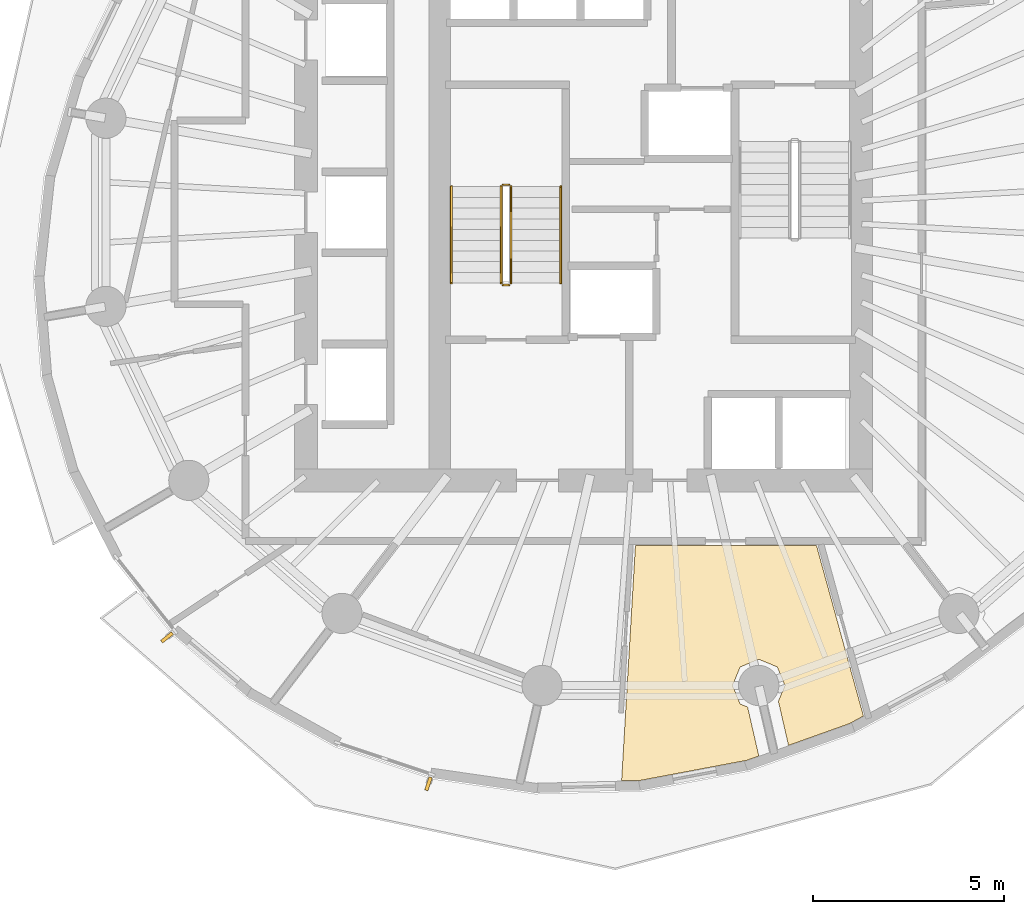
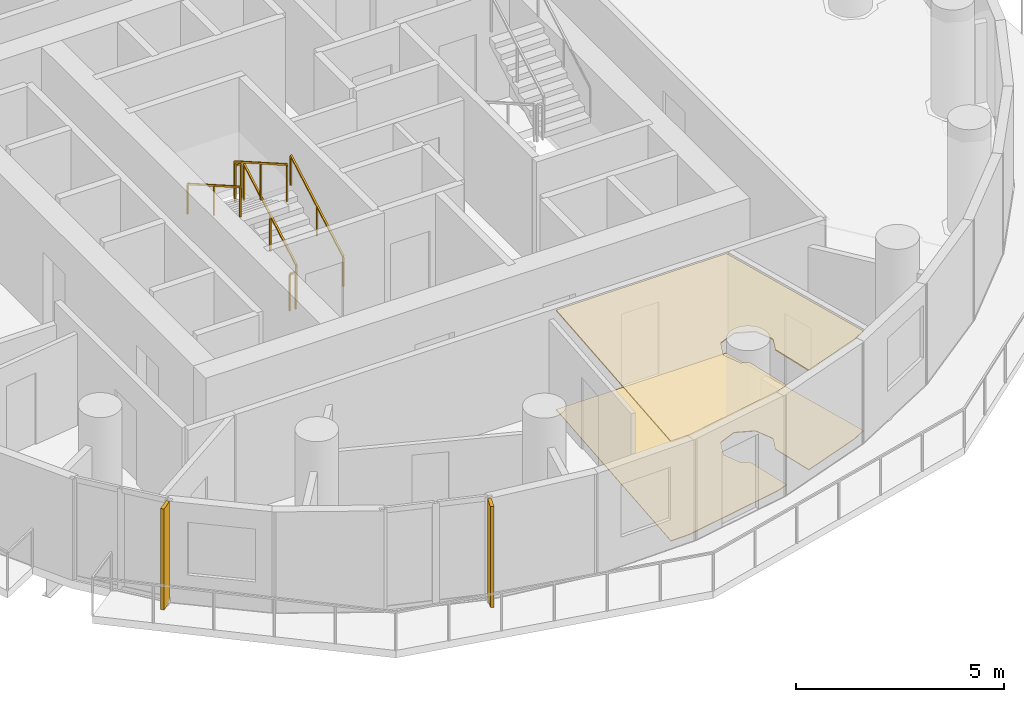
# One storey, part 8 of 12: 6 railings, 2 coverings, 2 shading devices.
"""IFC4 building model written with IfcOpenShell, lengths in metres."""

import ifcopenshell
import ifcopenshell.guid

model = None  # the IFC model being written
_history = None  # IfcOwnerHistory: only IFC2X3 demands one
_inside = {}  # id of a spatial element -> (the spatial element, [elements in it])
_under = {}  # id of a project, library or spatial element -> (it, [spatial elements below it])
_declared = {}  # id of a project -> (the project, [libraries it declares])
_typed = {}  # id of a type object -> (the type object, [elements of that type])
_made_of = {}  # id of a material, layer set ... -> (it, [elements and type objects made of it])


def new_model(schema):
    """Start an empty IFC model of exactly this schema.

    Asked for "IFC4X3", IfcOpenShell would pick the latest addendum, in which some entities
    have other attributes; the version numbers below select the first issue.
    IFC2X3 requires an IfcOwnerHistory on every rooted entity: one is made here for all.
    """
    global model, _history
    if schema == "IFC4X3":
        model = ifcopenshell.file(schema_version=(4, 3, 0, 0))
    else:
        model = ifcopenshell.file(schema=schema)
    _inside.clear()
    _under.clear()
    _declared.clear()
    _typed.clear()
    _made_of.clear()
    _history = None
    if model.schema == "IFC2X3":
        org = make("IfcOrganization", Name="unknown")
        user = make(
            "IfcPersonAndOrganization",
            ThePerson=make("IfcPerson", FamilyName="unknown"),
            TheOrganization=org,
        )
        app = make(
            "IfcApplication",
            ApplicationDeveloper=org,
            Version="unknown",
            ApplicationFullName="unknown",
            ApplicationIdentifier="unknown",
        )
        _history = make(
            "IfcOwnerHistory",
            OwningUser=user,
            OwningApplication=app,
            ChangeAction="ADDED",
            CreationDate=0,
        )
    return model


def make(cls, **values):
    """One entity of the class cls with the attributes given. An attribute that is None is left unset."""
    return model.create_entity(
        cls, **{name: value for name, value in values.items() if value is not None}
    )


def rooted(cls, **values):
    """An entity with a GlobalId (a new one), such as an element, a storey or a relation."""
    return make(cls, GlobalId=ifcopenshell.guid.new(), OwnerHistory=_history, **values)


def si_unit(unit_type, name, prefix=None):
    """IfcSIUnit, for example si_unit("LENGTHUNIT", "METRE", prefix="MILLI")."""
    return make("IfcSIUnit", UnitType=unit_type, Prefix=prefix, Name=name)


def assignment(units):
    """IfcUnitAssignment: the units of a project."""
    return None if units is None else make("IfcUnitAssignment", Units=units)


def point(xyz):
    """IfcCartesianPoint."""
    return None if xyz is None else make("IfcCartesianPoint", Coordinates=xyz)


def direction(xyz):
    """IfcDirection."""
    return None if xyz is None else make("IfcDirection", DirectionRatios=xyz)


def frame(location, z_axis=None, x_axis=None):
    """IfcAxis2Placement3D, a coordinate frame: its origin and axes. An axis left out is left unset."""
    return make(
        "IfcAxis2Placement3D",
        Location=point(location),
        Axis=direction(z_axis),
        RefDirection=direction(x_axis),
    )


def frame_2d(location, x_axis=None):
    """IfcAxis2Placement2D, a coordinate frame in the plane: its origin and x axis."""
    return make(
        "IfcAxis2Placement2D", Location=point(location), RefDirection=direction(x_axis)
    )


def origin():
    """The frame at (0, 0, 0) with its axes left unset."""
    return frame((0.0, 0.0, 0.0))


def origin_2d():
    """The frame at (0, 0) in the plane with its x axis left unset."""
    return frame_2d((0.0, 0.0))


def place(relative_to, where):
    """IfcLocalPlacement: puts the frame where relative to a parent placement (None: the world)."""
    return make(
        "IfcLocalPlacement", PlacementRelTo=relative_to, RelativePlacement=where
    )


def context(
    kind, dimensions, precision=None, world=None, true_north=None, identifier=None
):
    """IfcGeometricRepresentationContext, for example the 3D "Model" context."""
    return make(
        "IfcGeometricRepresentationContext",
        ContextIdentifier=identifier,
        ContextType=kind,
        CoordinateSpaceDimension=dimensions,
        Precision=precision,
        WorldCoordinateSystem=world,
        TrueNorth=true_north,
    )


def subcontext(parent, identifier, kind, view, scale=None):
    """IfcGeometricRepresentationSubContext, for example "Body" below "Model"."""
    return make(
        "IfcGeometricRepresentationSubContext",
        ContextIdentifier=identifier,
        ContextType=kind,
        ParentContext=parent,
        TargetScale=scale,
        TargetView=view,
    )


def project(units=None, contexts=None):
    """IfcProject with its units and contexts."""
    return rooted(
        "IfcProject",
        Name="project",
        RepresentationContexts=contexts,
        UnitsInContext=assignment(units),
    )


def spatial(cls, under=None, at=None, **own):
    """A site, building, storey or space (cls), placed at a placement, below another one or the project."""
    s = rooted(cls, ObjectPlacement=at, **own)
    if under is not None:
        _under.setdefault(under.id(), (under, []))[1].append(s)
    return s


def polyline(points):
    """IfcPolyline through the points."""
    return make("IfcPolyline", Points=[point(p) for p in points])


def profile(cls, at=None, kind="AREA", **sizes):
    """A parametric profile (cls). Its sizes go by their IFC names, for example OverallWidth=200.0."""
    return make(cls, ProfileType=kind, Position=at, **sizes)


def rectangle(**sizes):
    """IfcRectangleProfileDef."""
    return profile("IfcRectangleProfileDef", **sizes)


def outline(outer, holes=None, kind="AREA"):
    """IfcArbitraryClosedProfileDef: a profile drawn as a closed curve; with holes, ...WithVoids."""
    if holes is None:
        return make("IfcArbitraryClosedProfileDef", ProfileType=kind, OuterCurve=outer)
    return make(
        "IfcArbitraryProfileDefWithVoids",
        ProfileType=kind,
        OuterCurve=outer,
        InnerCurves=holes,
    )


def extrude(swept, where, along, depth):
    """IfcExtrudedAreaSolid: the profile swept, set in the frame where, extruded along a direction by depth."""
    return make(
        "IfcExtrudedAreaSolid",
        SweptArea=swept,
        Position=where,
        ExtrudedDirection=direction(along),
        Depth=depth,
    )


def shape(context_of_items, identifier, shape_type, items):
    """IfcShapeRepresentation: the items that make up one representation, for example the "Body"."""
    return make(
        "IfcShapeRepresentation",
        ContextOfItems=context_of_items,
        RepresentationIdentifier=identifier,
        RepresentationType=shape_type,
        Items=items,
    )


def material(Name=None, Category=None):
    """IfcMaterial."""
    return make("IfcMaterial", Name=Name, Category=Category)


def layer(
    of_material, thickness, ventilated=None, Name=None, Category=None, Priority=None
):
    """IfcMaterialLayer: one layer of a wall or slab, of a material (None: an air gap)."""
    return make(
        "IfcMaterialLayer",
        Material=of_material,
        LayerThickness=thickness,
        IsVentilated=ventilated,
        Name=Name,
        Category=Category,
        Priority=Priority,
    )


def layer_set(layers, Name=None):
    """IfcMaterialLayerSet."""
    return make("IfcMaterialLayerSet", MaterialLayers=layers, LayerSetName=Name)


def made_of(thing, what):
    """Note that an element or type object is made of a material, layer set ...; save() writes the relation."""
    if what is not None:
        _made_of.setdefault(what.id(), (what, []))[1].append(thing)
    return thing


def type_object(cls, material=None, **own):
    """A type object (cls), such as IfcWallType, which elements share."""
    return made_of(rooted(cls, **own), material)


def element(
    cls,
    number,
    at=None,
    inside=None,
    cuts=None,
    type_object=None,
    material=None,
    context=None,
    identifier="Body",
    shape_type=None,
    held_by="IfcProductDefinitionShape",
    body=None,
    shapes=None,
    **own,
):
    """One element of the class cls, such as IfcWall. Its Tag is "e" and its number.

    at: its placement. inside: the storey or other place that contains it. cuts: it is an
    opening in that element (IfcRelVoidsElement). A single representation is given by context,
    identifier, shape_type and body (its items); several are given by shapes. held_by: the class
    of the entity that holds the representations. save() writes the other relations.
    """
    e = rooted(cls, Tag="e%d" % number, ObjectPlacement=at, **own)
    if body is not None:
        shapes = [shape(context, identifier, shape_type, body)]
    if shapes is not None:
        e.Representation = make(held_by, Representations=shapes)
    if inside is not None:
        _inside.setdefault(inside.id(), (inside, []))[1].append(e)
    if cuts is not None:
        rooted(
            "IfcRelVoidsElement", RelatingBuildingElement=cuts, RelatedOpeningElement=e
        )
    if type_object is not None:
        _typed.setdefault(type_object.id(), (type_object, []))[1].append(e)
    return made_of(e, material)


def aggregate(whole, parts):
    """IfcRelAggregates: a whole, such as a stair, and the parts it consists of."""
    return rooted("IfcRelAggregates", RelatingObject=whole, RelatedObjects=parts)


def save(model, path):
    """Write the relations noted so far, then the file.

    IfcRelAggregates (storeys below a building ...), IfcRelContainedInSpatialStructure (elements
    in a storey), IfcRelDefinesByType, IfcRelAssociatesMaterial and IfcRelDeclares: one each for
    every whole, place, type object, material and project.
    """
    for whole, parts in _under.values():
        aggregate(whole, parts)
    for where, things in _inside.values():
        rooted(
            "IfcRelContainedInSpatialStructure",
            RelatedElements=things,
            RelatingStructure=where,
        )
    for kind, things in _typed.values():
        rooted("IfcRelDefinesByType", RelatedObjects=things, RelatingType=kind)
    for what, things in _made_of.values():
        rooted("IfcRelAssociatesMaterial", RelatedObjects=things, RelatingMaterial=what)
    for by, libraries in _declared.values():
        rooted("IfcRelDeclares", RelatingContext=by, RelatedDefinitions=libraries)
    model.write(path)


model = new_model("IFC4")

# Units and contexts
model_context = context("Model", 3, precision=1e-05, world=origin(), true_north=direction((0.0, 1.0)))
body_context = subcontext(model_context, "Body", "Model", "MODEL_VIEW")
ifc_project = project(units=[si_unit("LENGTHUNIT", "METRE"), si_unit("AREAUNIT", "SQUARE_METRE"), si_unit("VOLUMEUNIT", "CUBIC_METRE"), si_unit("PLANEANGLEUNIT", "RADIAN"), si_unit("MASSUNIT", "GRAM", prefix="KILO")], contexts=[model_context])

# Site, building, storey
site_placement = place(None, origin())
site = spatial("IfcSite", under=ifc_project, at=site_placement, CompositionType="ELEMENT")
building_placement = place(site_placement, origin())
building = spatial("IfcBuilding", under=site, at=building_placement, Name="Veldorim Arch Residences", CompositionType="ELEMENT")
storey_placement = place(building_placement, frame((0.0, 0.0, 139.360107421875)))
storey = spatial("IfcBuildingStorey", under=building, at=storey_placement, Name="L41", CompositionType="ELEMENT", Elevation=139.360107421875)

# Railings
ifc_material_1 = material(Name="Steel S355", Category="steel")
railing_type_1 = type_object("IfcRailingType", Name="Galvanised Steel Stair Safety Guardrail 1100", PredefinedType="GUARDRAIL", material=ifc_material_1)
railing_1_placement = place(storey_placement, frame((28.360107421875, 22.14990234375, 0.159912109375)))
element("IfcRailing", 1, at=railing_1_placement, inside=storey, type_object=railing_type_1, Name="L41 ST-1 stair guard 1", PredefinedType="GUARDRAIL", context=body_context, shape_type="SweptSolid", body=[
    extrude(rectangle(XDim=0.048095703125, YDim=0.048095703125, at=origin_2d()), frame((0.0, 0.0, 1.076171875), z_axis=(0.0, 0.868253494771, 0.496120820787), x_axis=(-1.0, 0.0, 0.0)), (0.0, 0.0, 1.0), 2.90234375),
    extrude(rectangle(XDim=0.0419921875, YDim=0.0419921875, at=origin_2d()), origin(), (0.0, 0.0, 1.0), 1.052001953125),
    extrude(rectangle(XDim=0.0419921875, YDim=0.0419921875, at=origin_2d()), frame((0.0, 1.260009765625, 0.719970703125)), (0.0, 0.0, 1.0), 1.052001953125),
    extrude(rectangle(XDim=0.0419921875, YDim=0.0419921875, at=origin_2d()), frame((0.0, 2.52001953125, 1.43994140625)), (0.0, 0.0, 1.0), 1.052001953125),
])
railing_2_placement = place(storey_placement, frame((28.31005859375, 24.719970703125, 1.599853515625)))
element("IfcRailing", 2, at=railing_2_placement, inside=storey, type_object=railing_type_1, Name="L41 ST-1 stair guard 2", PredefinedType="GUARDRAIL", context=body_context, shape_type="SweptSolid", body=[
    extrude(rectangle(XDim=0.048095703125, YDim=0.048095703125, at=origin_2d()), frame((0.0, 0.0, 1.076171875), z_axis=(-1.0, 0.0, 0.0), x_axis=(0.0, -1.0, 0.0)), (0.0, 0.0, 1.0), 0.16015625),
    extrude(rectangle(XDim=0.0419921875, YDim=0.0419921875, at=origin_2d()), origin(), (0.0, 0.0, 1.0), 1.052001953125),
    extrude(rectangle(XDim=0.0419921875, YDim=0.0419921875, at=origin_2d()), frame((-0.16015625, 0.0, 0.0)), (0.0, 0.0, 1.0), 1.052001953125),
])
railing_3_placement = place(storey_placement, frame((28.10009765625, 24.669921875, 1.760009765625)))
element("IfcRailing", 3, at=railing_3_placement, inside=storey, type_object=railing_type_1, Name="L41 ST-1 stair guard 3", PredefinedType="GUARDRAIL", context=body_context, shape_type="SweptSolid", body=[
    extrude(rectangle(XDim=0.048095703125, YDim=0.048095703125, at=origin_2d()), frame((0.0, 0.0, 1.076171875), z_axis=(0.0, -0.868253494771, 0.496120820787), x_axis=(1.0, 0.0, 0.0)), (0.0, 0.0, 1.0), 2.90234375),
    extrude(rectangle(XDim=0.0419921875, YDim=0.0419921875, at=origin_2d()), origin(), (0.0, 0.0, 1.0), 1.052001953125),
    extrude(rectangle(XDim=0.0419921875, YDim=0.0419921875, at=origin_2d()), frame((0.0, -1.260009765625, 0.719970703125)), (0.0, 0.0, 1.0), 1.052001953125),
    extrude(rectangle(XDim=0.0419921875, YDim=0.0419921875, at=origin_2d()), frame((0.0, -2.52001953125, 1.43994140625)), (0.0, 0.0, 1.0), 1.052001953125),
])
railing_4_placement = place(storey_placement, frame((28.31005859375, 22.10009765625, 0.0)))
element("IfcRailing", 4, at=railing_4_placement, inside=storey, type_object=railing_type_1, Name="L41 ST-1 stair guard 4", PredefinedType="GUARDRAIL", context=body_context, shape_type="SweptSolid", body=[
    extrude(rectangle(XDim=0.048095703125, YDim=0.048095703125, at=origin_2d()), frame((0.0, 0.0, 1.076171875), z_axis=(-1.0, 0.0, 0.0), x_axis=(0.0, -1.0, 0.0)), (0.0, 0.0, 1.0), 0.16015625),
    extrude(rectangle(XDim=0.0419921875, YDim=0.0419921875, at=origin_2d()), origin(), (0.0, 0.0, 1.0), 1.052001953125),
    extrude(rectangle(XDim=0.0419921875, YDim=0.0419921875, at=origin_2d()), frame((-0.16015625, 0.0, 0.0)), (0.0, 0.0, 1.0), 1.052001953125),
])

# Coverings
ifc_material_2 = material(Name="Acoustic Gypsum & Mineral Fibre", Category="gypsum")
ifc_layer_1 = layer(ifc_material_2, 0.034912109375, Name="Perforated Acoustic Mineral-Fibre Ceiling 35")
ifc_layer_set_1 = layer_set([ifc_layer_1], Name="Acoustic Gypsum & Mineral Fibre")
covering_type_1 = type_object("IfcCoveringType", Name="Perforated Acoustic Mineral-Fibre Ceiling 35", PredefinedType="CEILING", material=ifc_layer_set_1)
covering_1_placement = place(storey_placement, frame((0.0, 0.0, 2.90478515625)))
element("IfcCovering", 5, at=covering_1_placement, inside=storey, type_object=covering_type_1, Name="L41 acoustic suspended ceiling 01", PredefinedType="CEILING", context=body_context, shape_type="SweptSolid", body=[
    extrude(outline(polyline([(35.513671875, 11.64208984375), (35.31298828125, 12.12646484375), (34.828857421875, 12.326904296875), (34.344482421875, 12.12646484375), (34.143798828125, 11.64208984375), (34.344482421875, 11.15771484375), (34.538818359375, 11.077392578125), (34.8310546875, 9.80078125), (34.51171875, 9.686767578125), (31.7548828125, 9.16650390625), (31.246826171875, 9.15380859375), (31.6083984375, 15.300048828125), (36.3369140625, 15.300048828125), (37.563232421875, 10.844482421875), (37.19287109375, 10.64404296875), (35.606201171875, 10.07763671875), (35.342529296875, 11.229248046875), (35.513671875, 11.64208984375)])), origin(), (0.0, 0.0, 1.0), 0.03515625),
])
ifc_material_3 = material(Name="Porcelain Ceramic Tile", Category="ceramic")
ifc_layer_2 = layer(ifc_material_3, 0.02001953125, Name="Slip-Resistant Porcelain & Vinyl Floor Finish 20")
ifc_layer_set_2 = layer_set([ifc_layer_2], Name="Porcelain Ceramic Tile")
covering_type_2 = type_object("IfcCoveringType", Name="Slip-Resistant Porcelain & Vinyl Floor Finish 20", PredefinedType="FLOORING", material=ifc_layer_set_2)
covering_2_placement = place(storey_placement, origin())
element("IfcCovering", 6, at=covering_2_placement, inside=storey, type_object=covering_type_2, Name="L41 porcelain floor finish 01", PredefinedType="FLOORING", context=body_context, shape_type="SweptSolid", body=[
    extrude(outline(polyline([(35.513671875, 11.64208984375), (35.31298828125, 12.12646484375), (34.828857421875, 12.326904296875), (34.344482421875, 12.12646484375), (34.143798828125, 11.64208984375), (34.344482421875, 11.15771484375), (34.538818359375, 11.077392578125), (34.8310546875, 9.80078125), (34.51171875, 9.686767578125), (31.7548828125, 9.16650390625), (31.246826171875, 9.15380859375), (31.6083984375, 15.300048828125), (36.3369140625, 15.300048828125), (37.563232421875, 10.844482421875), (37.19287109375, 10.64404296875), (35.606201171875, 10.07763671875), (35.342529296875, 11.229248046875), (35.513671875, 11.64208984375)])), origin(), (0.0, 0.0, 1.0), 0.019775390625),
])

# Railings
ifc_material_4 = material(Name="Stainless Steel", Category="steel")
railing_type_2 = type_object("IfcRailingType", Name="Tubular Steel Continuous Wall Handrail 900", PredefinedType="HANDRAIL", material=ifc_material_4)
railing_5_placement = place(storey_placement, frame((29.659912109375, 22.14990234375, 0.159912109375)))
element("IfcRailing", 7, at=railing_5_placement, inside=storey, type_object=railing_type_2, Name="L41 ST-1 stair handrail 1", PredefinedType="HANDRAIL", context=body_context, shape_type="SweptSolid", body=[
    extrude(rectangle(XDim=0.048095703125, YDim=0.048095703125, at=origin_2d()), frame((0.0, 0.0, 0.8759765625), z_axis=(0.0, 0.868253494771, 0.496120820787), x_axis=(-1.0, 0.0, 0.0)), (0.0, 0.0, 1.0), 2.90234375),
    extrude(rectangle(XDim=0.0419921875, YDim=0.0419921875, at=origin_2d()), origin(), (0.0, 0.0, 1.0), 0.851806640625),
    extrude(rectangle(XDim=0.0419921875, YDim=0.0419921875, at=origin_2d()), frame((0.0, 1.260009765625, 0.719970703125)), (0.0, 0.0, 1.0), 0.851806640625),
    extrude(rectangle(XDim=0.0419921875, YDim=0.0419921875, at=origin_2d()), frame((0.0, 2.52001953125, 1.43994140625)), (0.0, 0.0, 1.0), 0.851806640625),
])
railing_6_placement = place(storey_placement, frame((26.800048828125, 24.669921875, 1.760009765625)))
element("IfcRailing", 8, at=railing_6_placement, inside=storey, type_object=railing_type_2, Name="L41 ST-1 stair handrail 2", PredefinedType="HANDRAIL", context=body_context, shape_type="SweptSolid", body=[
    extrude(rectangle(XDim=0.048095703125, YDim=0.048095703125, at=origin_2d()), frame((0.0, 0.0, 0.8759765625), z_axis=(0.0, -0.868253494771, 0.496120820787), x_axis=(1.0, 0.0, 0.0)), (0.0, 0.0, 1.0), 2.90234375),
    extrude(rectangle(XDim=0.0419921875, YDim=0.0419921875, at=origin_2d()), origin(), (0.0, 0.0, 1.0), 0.851806640625),
    extrude(rectangle(XDim=0.0419921875, YDim=0.0419921875, at=origin_2d()), frame((0.0, -1.260009765625, 0.719970703125)), (0.0, 0.0, 1.0), 0.851806640625),
    extrude(rectangle(XDim=0.0419921875, YDim=0.0419921875, at=origin_2d()), frame((0.0, -2.52001953125, 1.43994140625)), (0.0, 0.0, 1.0), 0.851806640625),
])

# Shading devices
ifc_material_5 = material(Name="Terracotta Ceramic", Category="masonry")
ifc_layer_3 = layer(ifc_material_5, 0.090087890625, Name="Vertical Extruded Terracotta Baguette Sun-Shading Fin")
ifc_layer_set_3 = layer_set([ifc_layer_3], Name="Terracotta Ceramic")
shading_device_type = type_object("IfcShadingDeviceType", Name="Vertical Extruded Terracotta Baguette Sun-Shading Fin", PredefinedType="USERDEFINED", material=ifc_layer_set_3)
for number, where, z_axis, x_axis, name in (
    (9, (19.375, 12.898681640625, 0.0), (0.0, 0.0, 1.0), (-0.622514636638, 0.782608156852, 0.0), "L41 vertical terracotta sun-shading fin 19"),
    (10, (26.203857421875, 9.07373046875, 0.0), (0.0, 0.0, 1.0), (-0.948931088342, 0.315483422034, 0.0), "L41 vertical terracotta sun-shading fin 22"),
):
    element("IfcShadingDevice", number, at=place(storey_placement, frame(where, z_axis=z_axis, x_axis=x_axis)), inside=storey, type_object=shading_device_type, Name=name, ObjectType="FIN", PredefinedType="USERDEFINED", context=body_context, shape_type="SweptSolid", body=[
        extrude(rectangle(XDim=0.090087890625, YDim=0.360107421875, at=origin_2d()), origin(), (0.0, 0.0, 1.0), 2.9599609375),
    ])

save(model, "model.ifc")
